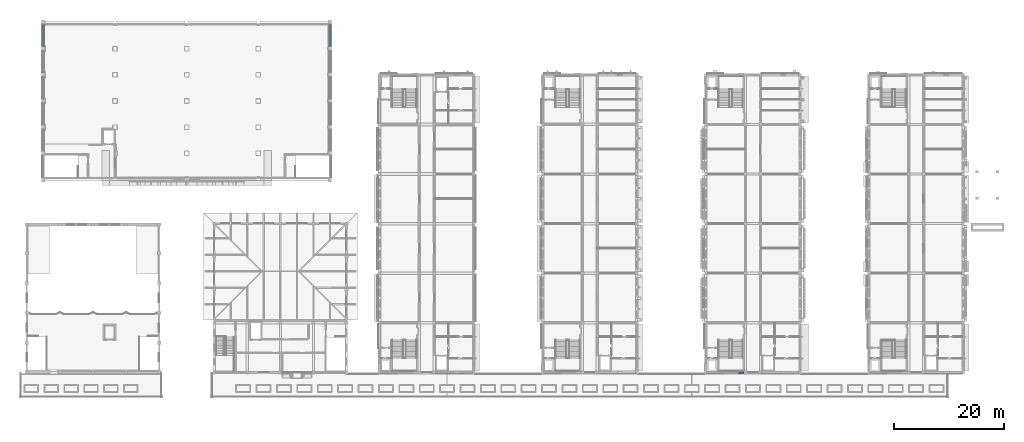
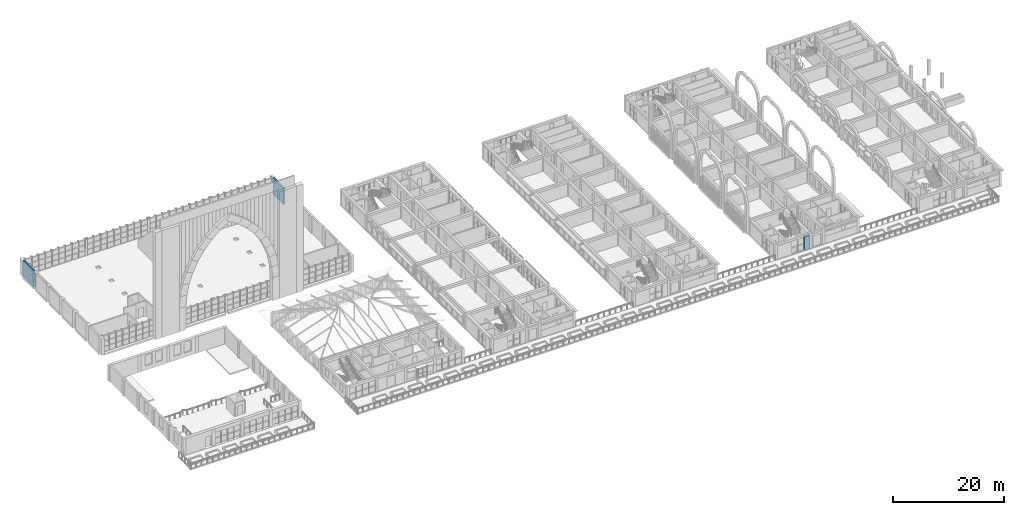
# One storey, part 53 of 82: 3 walls.
"""IFC4 building model written with IfcOpenShell, lengths in metres."""

from ifc_helpers import new_model, si_unit, direction, frame, frame_2d, origin, place, context, subcontext, project, spatial, rectangle, extrude, material, layer, layer_set, type_object, element, save


model = new_model("IFC4")

# Units and contexts
model_context = context("Model", 3, precision=1e-05, world=origin(), true_north=direction((0.0, 1.0)))
body_context = subcontext(model_context, "Body", "Model", "MODEL_VIEW")
ifc_project = project(units=[si_unit("LENGTHUNIT", "METRE"), si_unit("AREAUNIT", "SQUARE_METRE"), si_unit("VOLUMEUNIT", "CUBIC_METRE"), si_unit("PLANEANGLEUNIT", "RADIAN"), si_unit("MASSUNIT", "GRAM", prefix="KILO")], contexts=[model_context])

# Site, building, storey
site_placement = place(None, origin())
site = spatial("IfcSite", under=ifc_project, at=site_placement, CompositionType="ELEMENT")
building_placement = place(site_placement, origin())
building = spatial("IfcBuilding", under=site, at=building_placement, Name="Elbe Cascade School", CompositionType="ELEMENT")
storey_placement = place(building_placement, frame((0.0, 0.0, 4.5)))
storey = spatial("IfcBuildingStorey", under=building, at=storey_placement, Name="L01", CompositionType="ELEMENT", Elevation=4.5)

# Walls
ifc_material_1 = material(Name="Brick masonry - red clinker, solid, sandstone-faced", Category="masonry")
ifc_layer_1 = layer(ifc_material_1, 0.39990234375)
ifc_layer_set_1 = layer_set([ifc_layer_1], Name="Brick masonry - red clinker, solid, sandstone-faced")
wall_type_1 = type_object("IfcWallType", Name="Bars envelope External wall - solid masonry core strip, sandstone faced, 400", PredefinedType="STANDARD", material=ifc_layer_set_1)
wall_placement = place(storey_placement, frame((135.14990234375, 5.97998046875, 0.0), z_axis=(0.0, 0.0, 1.0), x_axis=(-1.0, 0.0, 0.0)))
element("IfcWall", 1, at=wall_placement, inside=storey, type_object=wall_type_1, Name="External wall W31 C.L01.s1b", PredefinedType="STANDARD", context=body_context, shape_type="SweptSolid", body=[
    extrude(rectangle(XDim=1.099853515625, YDim=0.39990234375, at=frame_2d((0.5498046875, 0.0))), origin(), (0.0, 0.0, 1.0), 2.89990234375),
])
ifc_material_2 = material(Name="Concrete C30/37 wall", Category="concrete")
ifc_layer_2 = layer(ifc_material_2, 0.300048828125)
ifc_layer_set_2 = layer_set([ifc_layer_2], Name="Concrete C30/37 wall")
wall_type_2 = type_object("IfcWallType", Name="Hall wall Concrete C30/37 300", PredefinedType="SOLIDWALL", material=ifc_layer_set_2)
for number, where, z_axis, x_axis, name in (
    (2, (8.0, 65.199951171875, 0.0), (0.0, 0.0, 1.0), (0.0, 1.0, 0.0), "Hall wall W6"),
    (3, (60.0, 65.199951171875, 0.0), (0.0, 0.0, 1.0), (0.0, 1.0, 0.0), "Hall wall E6"),
):
    element("IfcWall", number, at=place(storey_placement, frame(where, z_axis=z_axis, x_axis=x_axis)), inside=storey, type_object=wall_type_2, Name=name, PredefinedType="SOLIDWALL", context=body_context, shape_type="SweptSolid", body=[
        extrude(rectangle(XDim=3.85009765625, YDim=0.300048828125, at=frame_2d((1.925048828125, 0.0))), origin(), (0.0, 0.0, 1.0), 3.60009765625),
    ])

save(model, "model.ifc")
